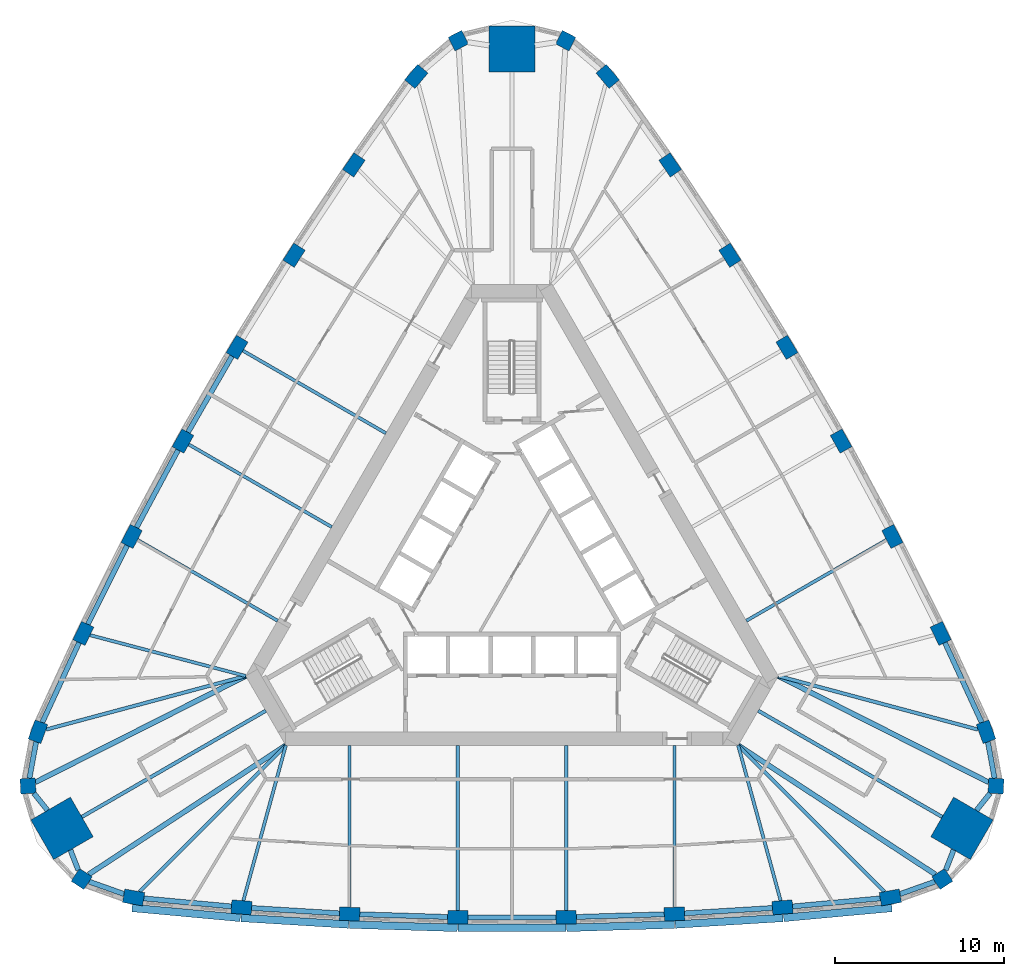
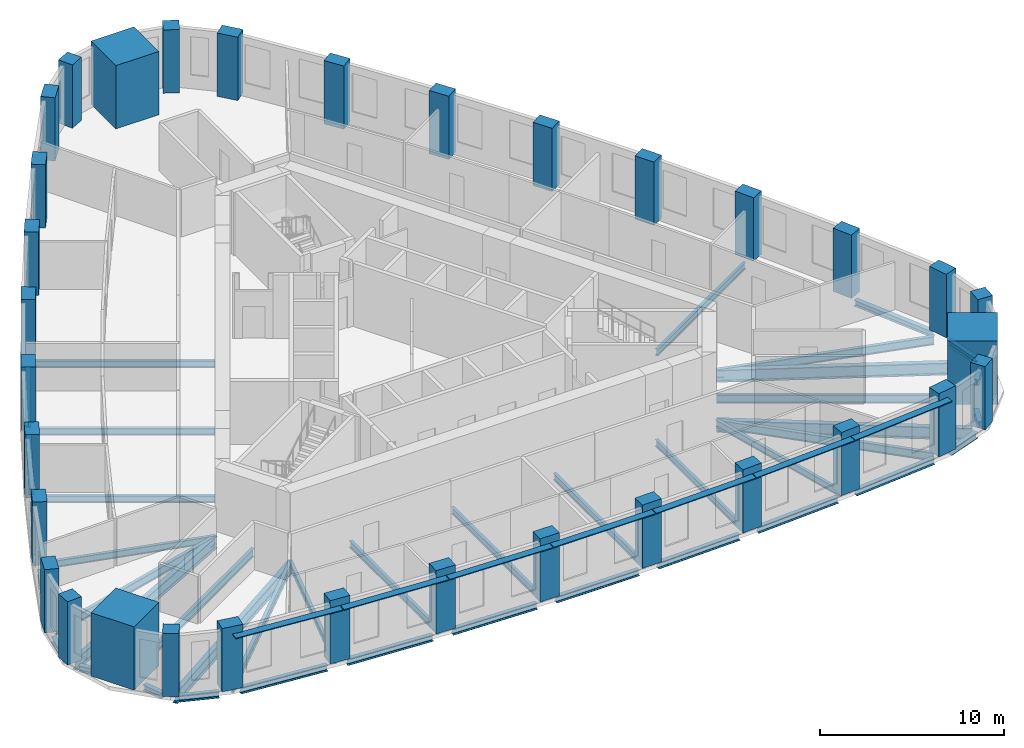
# One storey, part 1 of 10: 41 beams, 33 columns, 7 members.
"""IFC4 building model written with IfcOpenShell, lengths in metres."""

from ifc_helpers import new_model, si_unit, direction, frame, origin, origin_2d, place, context, subcontext, project, spatial, rectangle, i_section, extrude, material, material_profile, profile_set, type_object, element, save


model = new_model("IFC4")

# Units and contexts
model_context = context("Model", 3, precision=1e-05, world=origin(), true_north=direction((0.0, 1.0)))
body_context = subcontext(model_context, "Body", "Model", "MODEL_VIEW")
ifc_project = project(units=[si_unit("LENGTHUNIT", "METRE"), si_unit("AREAUNIT", "SQUARE_METRE"), si_unit("VOLUMEUNIT", "CUBIC_METRE"), si_unit("PLANEANGLEUNIT", "RADIAN"), si_unit("MASSUNIT", "GRAM", prefix="KILO")], contexts=[model_context])

# Site, building, storey
site_placement = place(None, origin())
site = spatial("IfcSite", under=ifc_project, at=site_placement, CompositionType="ELEMENT")
building_placement = place(site_placement, origin())
building = spatial("IfcBuilding", under=site, at=building_placement, Name="Mestral Congress Tower", CompositionType="ELEMENT")
storey_placement = place(building_placement, frame((0.0, 0.0, 154.199951171875)))
storey = spatial("IfcBuildingStorey", under=building, at=storey_placement, Name="L36", CompositionType="ELEMENT", Elevation=154.199951171875)

# Columns
ifc_material_1 = material(Name="Concrete C60/75", Category="concrete")
ifc_material_profile_1 = material_profile(ifc_material_1, rectangle(XDim=1.199951171875, YDim=0.800048828125, at=origin_2d()), Name="RC 1200x800")
ifc_profile_set_1 = profile_set([ifc_material_profile_1], Name="Concrete C60/75")
column_type_1 = type_object("IfcColumnType", Name="Column RC 1200x800 C60/75", PredefinedType="COLUMN", material=ifc_profile_set_1)
for number, where, z_axis, x_axis, name in (
    (1, (-22.357421875, -19.437255859375, 0.0), (0.0, 0.0, 1.0), (0.984571054206, -0.17498525429, 0.0), "COL-L36-C3-S00"),
    (2, (-15.984619140625, -20.0224609375, 0.0), (0.0, 0.0, 1.0), (0.997089725995, -0.076236987842, 0.0), "COL-L36-C3-S01"),
    (3, (-9.5966796875, -20.412841796875, 0.0), (0.0, 0.0, 1.0), (0.998951959915, -0.045770970953, 0.0), "COL-L36-C3-S02"),
    (4, (-3.199951171875, -20.608154296875, 0.0), (0.0, 0.0, 1.0), (0.999883524137, -0.015262311717, 0.0), "COL-L36-C3-S03"),
    (5, (3.199951171875, -20.608154296875, 0.0), (0.0, 0.0, 1.0), (0.999883524137, 0.015262311717, 0.0), "COL-L36-C3-S04"),
    (6, (9.5966796875, -20.412841796875, 0.0), (0.0, 0.0, 1.0), (0.998951959915, 0.045770970953, 0.0), "COL-L36-C3-S05"),
    (7, (15.984619140625, -20.0224609375, 0.0), (0.0, 0.0, 1.0), (0.997089725995, 0.076236987842, 0.0), "COL-L36-C3-S06"),
    (8, (22.357421875, -19.437255859375, 0.0), (0.0, 0.0, 1.0), (0.984571054206, 0.17498525429, 0.0), "COL-L36-C3-S07"),
    (9, (28.01171875, -9.6435546875, 0.0), (0.0, 0.0, 1.0), (-0.340743851601, 0.940156171918, 0.0), "COL-L36-C3-E00"),
    (10, (25.332275390625, -3.831787109375, 0.0), (0.0, 0.0, 1.0), (-0.432521694818, 0.901623526485, 0.0), "COL-L36-C3-E01"),
    (11, (22.476318359375, 1.8955078125, 0.0), (0.0, 0.0, 1.0), (-0.459837156356, 0.888003259923, 0.0), "COL-L36-C3-E02"),
    (12, (19.447265625, 7.532958984375, 0.0), (0.0, 0.0, 1.0), (-0.486724212401, 0.873555688587, 0.0), "COL-L36-C3-E03"),
    (13, (16.247314453125, 13.0751953125, 0.0), (0.0, 0.0, 1.0), (-0.513159311736, 0.85829337687, 0.0), "COL-L36-C3-E04"),
    (14, (12.8798828125, 18.517333984375, 0.0), (0.0, 0.0, 1.0), (-0.539114803559, 0.84223228897, 0.0), "COL-L36-C3-E05"),
    (15, (9.34765625, 23.854248046875, 0.0), (0.0, 0.0, 1.0), (-0.564568031177, 0.825386538643, 0.0), "COL-L36-C3-E06"),
    (16, (5.654296875, 29.080810546875, 0.0), (0.0, 0.0, 1.0), (-0.643827202606, 0.765170917629, 0.0), "COL-L36-C3-E07"),
    (17, (-5.654296875, 29.080810546875, 0.0), (0.0, 0.0, 1.0), (-0.643827202606, -0.765170917629, 0.0), "COL-L36-C3-W00"),
    (18, (-9.34765625, 23.854248046875, 0.0), (0.0, 0.0, 1.0), (-0.564568031177, -0.825386538643, 0.0), "COL-L36-C3-W01"),
    (19, (-12.8798828125, 18.517333984375, 0.0), (0.0, 0.0, 1.0), (-0.539114803559, -0.84223228897, 0.0), "COL-L36-C3-W02"),
    (20, (-16.247314453125, 13.0751953125, 0.0), (0.0, 0.0, 1.0), (-0.513159311736, -0.85829337687, 0.0), "COL-L36-C3-W03"),
    (21, (-19.447265625, 7.532958984375, 0.0), (0.0, 0.0, 1.0), (-0.486724212401, -0.873555688587, 0.0), "COL-L36-C3-W04"),
    (22, (-22.476318359375, 1.8955078125, 0.0), (0.0, 0.0, 1.0), (-0.459837156356, -0.888003259923, 0.0), "COL-L36-C3-W05"),
    (23, (-25.332275390625, -3.831787109375, 0.0), (0.0, 0.0, 1.0), (-0.432521694818, -0.901623526485, 0.0), "COL-L36-C3-W06"),
    (24, (-28.01171875, -9.6435546875, 0.0), (0.0, 0.0, 1.0), (-0.340743851601, -0.940156171918, 0.0), "COL-L36-C3-W07"),
):
    element("IfcColumn", number, at=place(storey_placement, frame(where, z_axis=z_axis, x_axis=x_axis)), inside=storey, type_object=column_type_1, Name=name, PredefinedType="COLUMN", context=body_context, shape_type="SweptSolid", body=[
        extrude(rectangle(XDim=1.199951171875, YDim=0.800048828125, at=origin_2d()), origin(), (0.0, 0.0, 1.0), 4.199951171875),
    ])
ifc_material_profile_2 = material_profile(ifc_material_1, rectangle(XDim=0.89990234375, YDim=0.89990234375, at=origin_2d()), Name="RC 900x900")
ifc_profile_set_2 = profile_set([ifc_material_profile_2], Name="Concrete C60/75")
column_type_2 = type_object("IfcColumnType", Name="Column RC 900x900 C60/75", PredefinedType="COLUMN", material=ifc_profile_set_2)
for number, where, z_axis, x_axis, name in (
    (25, (25.4296875, -18.34375, 0.0), (0.0, 0.0, 1.0), (0.838094050847, 0.545525766518, 0.0), "COL-L36-C3-SE1"),
    (26, (28.60107421875, -12.850830078125, 0.0), (0.0, 0.0, 1.0), (0.0533921468, 0.998573622053, 0.0), "COL-L36-C3-SE3"),
    (27, (3.17138671875, 31.194580078125, 0.0), (0.0, 0.0, 1.0), (-0.891486197647, 0.453047855535, 0.0), "COL-L36-C3-N1"),
    (28, (-3.17138671875, 31.194580078125, 0.0), (0.0, 0.0, 1.0), (-0.891486197647, -0.453047855535, 0.0), "COL-L36-C3-N3"),
    (29, (-28.60107421875, -12.850830078125, 0.0), (0.0, 0.0, 1.0), (0.0533921468, -0.998573622053, 0.0), "COL-L36-C3-SW1"),
    (30, (-25.4296875, -18.34375, 0.0), (0.0, 0.0, 1.0), (0.838094050847, -0.545525766518, 0.0), "COL-L36-C3-SW3"),
):
    element("IfcColumn", number, at=place(storey_placement, frame(where, z_axis=z_axis, x_axis=x_axis)), inside=storey, type_object=column_type_2, Name=name, PredefinedType="COLUMN", context=body_context, shape_type="SweptSolid", body=[
        extrude(rectangle(XDim=0.89990234375, YDim=0.89990234375, at=origin_2d()), origin(), (0.0, 0.0, 1.0), 4.199951171875),
    ])
ifc_material_2 = material(Name="Concrete C70/85", Category="concrete")
ifc_material_profile_3 = material_profile(ifc_material_2, rectangle(XDim=2.699951171875, YDim=2.699951171875, at=origin_2d()), Name="RC 2700x2700")
ifc_profile_set_3 = profile_set([ifc_material_profile_3], Name="Concrete C70/85")
column_type_3 = type_object("IfcColumnType", Name="Mega column RC 2700x2700 C70/85", PredefinedType="COLUMN", material=ifc_profile_set_3)
for number, where, z_axis, x_axis, name in (
    (31, (26.590576171875, -15.35205078125, 0.0), (0.0, 0.0, 1.0), (0.866025403784, -0.5, 0.0), "COL-L36-PY3-SE"),
    (32, (0.0, 30.7041015625, 0.0), (0.0, 0.0, 1.0), (0.0, 1.0, 0.0), "COL-L36-PY3-N"),
    (33, (-26.590576171875, -15.35205078125, 0.0), (0.0, 0.0, 1.0), (-0.866025403784, -0.5, 0.0), "COL-L36-PY3-SW"),
):
    element("IfcColumn", number, at=place(storey_placement, frame(where, z_axis=z_axis, x_axis=x_axis)), inside=storey, type_object=column_type_3, Name=name, PredefinedType="COLUMN", context=body_context, shape_type="SweptSolid", body=[
        extrude(rectangle(XDim=2.699951171875, YDim=2.699951171875, at=origin_2d()), origin(), (0.0, 0.0, 1.0), 4.199951171875),
    ])

# Members
ifc_material_3 = material(Name="Glazed ceramic", Category="masonry")
ifc_material_profile_4 = material_profile(ifc_material_3, rectangle(XDim=0.449951171875, YDim=0.06005859375, at=origin_2d()), Name="Ceramic blade 450 x 60")
ifc_profile_set_4 = profile_set([ifc_material_profile_4], Name="Glazed ceramic")
member_type = type_object("IfcMemberType", Name="Facade sunshade blade 450 x 60", PredefinedType="USERDEFINED", material=ifc_profile_set_4)
member_1_placement = place(storey_placement, frame((-22.451171875, -20.05615234375, 3.679931640625), z_axis=(0.995809919347, -0.091447277326, 0.0), x_axis=(0.091447277326, 0.995809919347, 0.0)))
element("IfcMember", 34, at=member_1_placement, inside=storey, type_object=member_type, Name="Sunshade F0-00", ObjectType="SUNSHADE", PredefinedType="USERDEFINED", context=body_context, shape_type="SweptSolid", body=[
    extrude(rectangle(XDim=0.449951171875, YDim=0.06005859375, at=origin_2d()), origin(), (0.0, 0.0, 1.0), 6.42333984375),
])
member_2_placement = place(storey_placement, frame((-16.009521484375, -20.647216796875, 3.679931640625), z_axis=(0.998138940399, -0.06098078107, 0.0), x_axis=(0.06098078107, 0.998138940399, 0.0)))
element("IfcMember", 35, at=member_2_placement, inside=storey, type_object=member_type, Name="Sunshade F0-01", ObjectType="SUNSHADE", PredefinedType="USERDEFINED", context=body_context, shape_type="SweptSolid", body=[
    extrude(rectangle(XDim=0.449951171875, YDim=0.06005859375, at=origin_2d()), origin(), (0.0, 0.0, 1.0), 6.373779296875),
])
for number, where, z_axis, x_axis, name in (
    (36, (-9.6025390625, -21.0380859375, 3.679931640625), (0.999535044007, -0.03049091343, 0.0), (0.03049091343, 0.999535044007, 0.0), "Sunshade F0-02"),
    (37, (-3.186767578125, -21.233154296875, 3.679931640625), (1.0, 0.0, 0.0), (0.0, 1.0, 0.0), "Sunshade F0-03"),
    (38, (3.23193359375, -21.232421875, 3.679931640625), (0.999535044007, 0.03049091343, 0.0), (-0.03049091343, 0.999535044007, 0.0), "Sunshade F0-04"),
):
    element("IfcMember", number, at=place(storey_placement, frame(where, z_axis=z_axis, x_axis=x_axis)), inside=storey, type_object=member_type, Name=name, ObjectType="SUNSHADE", PredefinedType="USERDEFINED", context=body_context, shape_type="SweptSolid", body=[
        extrude(rectangle(XDim=0.449951171875, YDim=0.06005859375, at=origin_2d()), origin(), (0.0, 0.0, 1.0), 6.37353515625),
    ])
member_3_placement = place(storey_placement, frame((9.647705078125, -21.035888671875, 3.679931640625), z_axis=(0.998138940399, 0.06098078107, 0.0), x_axis=(-0.06098078107, 0.998138940399, 0.0)))
element("IfcMember", 39, at=member_3_placement, inside=storey, type_object=member_type, Name="Sunshade F0-05", ObjectType="SUNSHADE", PredefinedType="USERDEFINED", context=body_context, shape_type="SweptSolid", body=[
    extrude(rectangle(XDim=0.449951171875, YDim=0.06005859375, at=origin_2d()), origin(), (0.0, 0.0, 1.0), 6.373779296875),
])
member_4_placement = place(storey_placement, frame((16.0546875, -20.6435546875, 3.679931640625), z_axis=(0.995809919347, 0.091447277326, 0.0), x_axis=(-0.091447277326, 0.995809919347, 0.0)))
element("IfcMember", 40, at=member_4_placement, inside=storey, type_object=member_type, Name="Sunshade F0-06", ObjectType="SUNSHADE", PredefinedType="USERDEFINED", context=body_context, shape_type="SweptSolid", body=[
    extrude(rectangle(XDim=0.449951171875, YDim=0.06005859375, at=origin_2d()), origin(), (0.0, 0.0, 1.0), 6.42333984375),
])

# Beams
ifc_material_4 = material(Name="Steel S355", Category="steel")
ifc_material_profile_5 = material_profile(ifc_material_4, i_section(OverallWidth=0.300048828125, OverallDepth=0.800048828125, WebThickness=0.017578125, FlangeThickness=0.032958984375, FilletRadius=0.030029296875, at=origin_2d()), Name="HEB 800")
ifc_profile_set_5 = profile_set([ifc_material_profile_5], Name="Steel S355")
beam_type_1 = type_object("IfcBeamType", Name="Floor beam HEB 800 S355", PredefinedType="BEAM", material=ifc_profile_set_5)
beam_1_placement = place(storey_placement, frame((25.018310546875, -18.07470703125, -0.64990234375), z_axis=(-0.836780237492, 0.547538888247, 0.0), x_axis=(-0.547538888247, -0.836780237492, 0.0)))
element("IfcBeam", 41, at=beam_1_placement, inside=storey, type_object=beam_type_1, Name="BM-L36-RB3-SE1", PredefinedType="BEAM", context=body_context, shape_type="SweptSolid", body=[
    extrude(i_section(OverallWidth=0.300048828125, OverallDepth=0.800048828125, WebThickness=0.017578125, FlangeThickness=0.032958984375, FilletRadius=0.030029296875, at=origin_2d()), origin(), (0.0, 0.0, 1.0), 13.925537109375),
])
for number, where, z_axis, x_axis, name in (
    (42, (28.162109375, -12.629150390625, -0.64990234375), (-0.892568118133, 0.450912579656, 0.0), (-0.450912579656, -0.892568118133, 0.0), "BM-L36-RB3-SE3"),
    (43, (-28.162109375, -12.629150390625, -0.64990234375), (0.892568118133, 0.450912579656, 0.0), (-0.450912579656, 0.892568118133, 0.0), "BM-L36-RB3-SW1"),
):
    element("IfcBeam", number, at=place(storey_placement, frame(where, z_axis=z_axis, x_axis=x_axis)), inside=storey, type_object=beam_type_1, Name=name, PredefinedType="BEAM", context=body_context, shape_type="SweptSolid", body=[
        extrude(i_section(OverallWidth=0.300048828125, OverallDepth=0.800048828125, WebThickness=0.017578125, FlangeThickness=0.032958984375, FilletRadius=0.030029296875, at=origin_2d()), origin(), (0.0, 0.0, 1.0), 13.92529296875),
    ])
beam_2_placement = place(storey_placement, frame((-25.018310546875, -18.07470703125, -0.64990234375), z_axis=(0.836780237492, 0.547538888247, 0.0), x_axis=(-0.547538888247, 0.836780237492, 0.0)))
element("IfcBeam", 44, at=beam_2_placement, inside=storey, type_object=beam_type_1, Name="BM-L36-RB3-SW3", PredefinedType="BEAM", context=body_context, shape_type="SweptSolid", body=[
    extrude(i_section(OverallWidth=0.300048828125, OverallDepth=0.800048828125, WebThickness=0.017578125, FlangeThickness=0.032958984375, FilletRadius=0.030029296875, at=origin_2d()), origin(), (0.0, 0.0, 1.0), 13.925537109375),
])
ifc_material_profile_6 = material_profile(ifc_material_4, i_section(OverallWidth=0.18994140625, OverallDepth=0.449951171875, WebThickness=0.009521484375, FlangeThickness=0.0146484375, FilletRadius=0.02099609375, at=origin_2d()), Name="IPE 450")
ifc_profile_set_6 = profile_set([ifc_material_profile_6], Name="Steel S355")
beam_type_2 = type_object("IfcBeamType", Name="Floor beam IPE 450 S355", PredefinedType="BEAM", material=ifc_profile_set_6)
beam_3_placement = place(storey_placement, frame((-15.876953125, -19.62939453125, -0.474853515625), z_axis=(0.263874900873, 0.964556912105, 0.0), x_axis=(-0.964556912105, 0.263874900873, 0.0)))
element("IfcBeam", 45, at=beam_3_placement, inside=storey, type_object=beam_type_2, Name="BM-L36-RB3-S01", PredefinedType="BEAM", context=body_context, shape_type="SweptSolid", body=[
    extrude(i_section(OverallWidth=0.18994140625, OverallDepth=0.449951171875, WebThickness=0.009521484375, FlangeThickness=0.0146484375, FilletRadius=0.02099609375, at=origin_2d()), origin(), (0.0, 0.0, 1.0), 9.516845703125),
])
beam_4_placement = place(storey_placement, frame((-9.5966796875, -20.012451171875, -0.474853515625), z_axis=(0.0, 1.0, 0.0), x_axis=(-1.0, 0.0, 0.0)))
element("IfcBeam", 46, at=beam_4_placement, inside=storey, type_object=beam_type_2, Name="BM-L36-RB3-S02", PredefinedType="BEAM", context=body_context, shape_type="SweptSolid", body=[
    extrude(i_section(OverallWidth=0.18994140625, OverallDepth=0.449951171875, WebThickness=0.009521484375, FlangeThickness=0.0146484375, FilletRadius=0.02099609375, at=origin_2d()), origin(), (0.0, 0.0, 1.0), 9.5625),
])
for number, where, z_axis, x_axis, name in (
    (47, (-3.199951171875, -20.208251953125, -0.474853515625), (0.0, 1.0, 0.0), (-1.0, 0.0, 0.0), "BM-L36-RB3-S03"),
    (48, (3.199951171875, -20.208251953125, -0.474853515625), (0.0, 1.0, 0.0), (-1.0, 0.0, 0.0), "BM-L36-RB3-S04"),
):
    element("IfcBeam", number, at=place(storey_placement, frame(where, z_axis=z_axis, x_axis=x_axis)), inside=storey, type_object=beam_type_2, Name=name, PredefinedType="BEAM", context=body_context, shape_type="SweptSolid", body=[
        extrude(i_section(OverallWidth=0.18994140625, OverallDepth=0.449951171875, WebThickness=0.009521484375, FlangeThickness=0.0146484375, FilletRadius=0.02099609375, at=origin_2d()), origin(), (0.0, 0.0, 1.0), 9.75830078125),
    ])
beam_5_placement = place(storey_placement, frame((9.5966796875, -20.012451171875, -0.474853515625), z_axis=(0.0, 1.0, 0.0), x_axis=(-1.0, 0.0, 0.0)))
element("IfcBeam", 49, at=beam_5_placement, inside=storey, type_object=beam_type_2, Name="BM-L36-RB3-S05", PredefinedType="BEAM", context=body_context, shape_type="SweptSolid", body=[
    extrude(i_section(OverallWidth=0.18994140625, OverallDepth=0.449951171875, WebThickness=0.009521484375, FlangeThickness=0.0146484375, FilletRadius=0.02099609375, at=origin_2d()), origin(), (0.0, 0.0, 1.0), 9.5625),
])
beam_6_placement = place(storey_placement, frame((15.876953125, -19.62939453125, -0.474853515625), z_axis=(-0.263874900873, 0.964556912105, 0.0), x_axis=(-0.964556912105, -0.263874900873, 0.0)))
element("IfcBeam", 50, at=beam_6_placement, inside=storey, type_object=beam_type_2, Name="BM-L36-RB3-S06", PredefinedType="BEAM", context=body_context, shape_type="SweptSolid", body=[
    extrude(i_section(OverallWidth=0.18994140625, OverallDepth=0.449951171875, WebThickness=0.009521484375, FlangeThickness=0.0146484375, FilletRadius=0.02099609375, at=origin_2d()), origin(), (0.0, 0.0, 1.0), 9.516845703125),
])
beam_7_placement = place(storey_placement, frame((22.129638671875, 1.6953125, -0.474853515625), z_axis=(-0.866022320763, -0.500005339912, 0.0), x_axis=(0.500005339912, -0.866022320763, 0.0)))
element("IfcBeam", 51, at=beam_7_placement, inside=storey, type_object=beam_type_2, Name="BM-L36-RB3-E02", PredefinedType="BEAM", context=body_context, shape_type="SweptSolid", body=[
    extrude(i_section(OverallWidth=0.18994140625, OverallDepth=0.449951171875, WebThickness=0.009521484375, FlangeThickness=0.0146484375, FilletRadius=0.02099609375, at=origin_2d()), origin(), (0.0, 0.0, 1.0), 9.5625),
])
beam_8_placement = place(storey_placement, frame((-15.90087890625, 12.875244140625, -0.474853515625), z_axis=(0.866025182435, -0.500000383388, 0.0), x_axis=(0.500000383388, 0.866025182435, 0.0)))
element("IfcBeam", 52, at=beam_8_placement, inside=storey, type_object=beam_type_2, Name="BM-L36-RB3-W03", PredefinedType="BEAM", context=body_context, shape_type="SweptSolid", body=[
    extrude(i_section(OverallWidth=0.18994140625, OverallDepth=0.449951171875, WebThickness=0.009521484375, FlangeThickness=0.0146484375, FilletRadius=0.02099609375, at=origin_2d()), origin(), (0.0, 0.0, 1.0), 9.75830078125),
])
beam_9_placement = place(storey_placement, frame((-19.100830078125, 7.332763671875, -0.474853515625), z_axis=(0.866036015824, -0.499981618958, 0.0), x_axis=(0.499981618958, 0.866036015824, 0.0)))
element("IfcBeam", 53, at=beam_9_placement, inside=storey, type_object=beam_type_2, Name="BM-L36-RB3-W04", PredefinedType="BEAM", context=body_context, shape_type="SweptSolid", body=[
    extrude(i_section(OverallWidth=0.18994140625, OverallDepth=0.449951171875, WebThickness=0.009521484375, FlangeThickness=0.0146484375, FilletRadius=0.02099609375, at=origin_2d()), origin(), (0.0, 0.0, 1.0), 9.758056640625),
])
beam_10_placement = place(storey_placement, frame((-22.129638671875, 1.6953125, -0.474853515625), z_axis=(0.866022320763, -0.500005339912, 0.0), x_axis=(0.500005339912, 0.866022320763, 0.0)))
element("IfcBeam", 54, at=beam_10_placement, inside=storey, type_object=beam_type_2, Name="BM-L36-RB3-W05", PredefinedType="BEAM", context=body_context, shape_type="SweptSolid", body=[
    extrude(i_section(OverallWidth=0.18994140625, OverallDepth=0.449951171875, WebThickness=0.009521484375, FlangeThickness=0.0146484375, FilletRadius=0.02099609375, at=origin_2d()), origin(), (0.0, 0.0, 1.0), 9.5625),
])
beam_11_placement = place(storey_placement, frame((-24.938232421875, -3.93505859375, -0.474853515625), z_axis=(0.967265999603, -0.253764627187, 0.0), x_axis=(0.253764627187, 0.967265999603, 0.0)))
element("IfcBeam", 55, at=beam_11_placement, inside=storey, type_object=beam_type_2, Name="BM-L36-RB3-W06", PredefinedType="BEAM", context=body_context, shape_type="SweptSolid", body=[
    extrude(i_section(OverallWidth=0.18994140625, OverallDepth=0.449951171875, WebThickness=0.009521484375, FlangeThickness=0.0146484375, FilletRadius=0.02099609375, at=origin_2d()), origin(), (0.0, 0.0, 1.0), 9.516845703125),
])
ifc_material_profile_7 = material_profile(ifc_material_4, i_section(OverallWidth=0.2099609375, OverallDepth=0.550048828125, WebThickness=0.010986328125, FlangeThickness=0.01708984375, FilletRadius=0.02392578125, at=origin_2d()), Name="IPE 550")
ifc_profile_set_7 = profile_set([ifc_material_profile_7], Name="Steel S355")
beam_type_3 = type_object("IfcBeamType", Name="Floor beam IPE 550 S355", PredefinedType="BEAM", material=ifc_profile_set_7)
for number, where, z_axis, x_axis, name in (
    (56, (-22.01220703125, -19.09228515625, -0.52490234375), (0.707276510369, 0.706937011254, 0.0), (-0.706937011254, 0.707276510369, 0.0), "BM-L36-RB3-S00"),
    (57, (22.01220703125, -19.09228515625, -0.52490234375), (-0.707276510369, 0.706937011254, 0.0), (-0.706937011254, -0.707276510369, 0.0), "BM-L36-RB3-S07"),
):
    element("IfcBeam", number, at=place(storey_placement, frame(where, z_axis=z_axis, x_axis=x_axis)), inside=storey, type_object=beam_type_3, Name=name, PredefinedType="BEAM", context=body_context, shape_type="SweptSolid", body=[
        extrude(i_section(OverallWidth=0.2099609375, OverallDepth=0.550048828125, WebThickness=0.010986328125, FlangeThickness=0.01708984375, FilletRadius=0.02392578125, at=origin_2d()), origin(), (0.0, 0.0, 1.0), 12.22509765625),
    ])
beam_12_placement = place(storey_placement, frame((25.42138671875, -14.677001953125, -0.52490234375), z_axis=(-0.866034999462, 0.49998337943, 0.0), x_axis=(-0.49998337943, -0.866034999462, 0.0)))
element("IfcBeam", 58, at=beam_12_placement, inside=storey, type_object=beam_type_3, Name="BM-L36-RB3-SE", PredefinedType="BEAM", context=body_context, shape_type="SweptSolid", body=[
    extrude(i_section(OverallWidth=0.2099609375, OverallDepth=0.550048828125, WebThickness=0.010986328125, FlangeThickness=0.01708984375, FilletRadius=0.02392578125, at=origin_2d()), origin(), (0.0, 0.0, 1.0), 12.55419921875),
])
for number, where, z_axis, x_axis, name in (
    (59, (27.54052734375, -9.51708984375, -0.52490234375), (-0.965861364708, 0.259059499276, 0.0), (-0.259059499276, -0.965861364708, 0.0), "BM-L36-RB3-E00"),
    (60, (-27.54052734375, -9.51708984375, -0.52490234375), (0.965861364708, 0.259059499276, 0.0), (-0.259059499276, 0.965861364708, 0.0), "BM-L36-RB3-W07"),
):
    element("IfcBeam", number, at=place(storey_placement, frame(where, z_axis=z_axis, x_axis=x_axis)), inside=storey, type_object=beam_type_3, Name=name, PredefinedType="BEAM", context=body_context, shape_type="SweptSolid", body=[
        extrude(i_section(OverallWidth=0.2099609375, OverallDepth=0.550048828125, WebThickness=0.010986328125, FlangeThickness=0.01708984375, FilletRadius=0.02392578125, at=origin_2d()), origin(), (0.0, 0.0, 1.0), 12.224853515625),
    ])
beam_13_placement = place(storey_placement, frame((-25.42138671875, -14.677001953125, -0.52490234375), z_axis=(0.866034999462, 0.49998337943, 0.0), x_axis=(-0.49998337943, 0.866034999462, 0.0)))
element("IfcBeam", 61, at=beam_13_placement, inside=storey, type_object=beam_type_3, Name="BM-L36-RB3-SW", PredefinedType="BEAM", context=body_context, shape_type="SweptSolid", body=[
    extrude(i_section(OverallWidth=0.2099609375, OverallDepth=0.550048828125, WebThickness=0.010986328125, FlangeThickness=0.01708984375, FilletRadius=0.02392578125, at=origin_2d()), origin(), (0.0, 0.0, 1.0), 12.55419921875),
])
ifc_material_profile_8 = material_profile(ifc_material_4, i_section(OverallWidth=0.300048828125, OverallDepth=0.389892578125, WebThickness=0.010986328125, FlangeThickness=0.01904296875, FilletRadius=0.027099609375, at=origin_2d()), Name="HEA 400")
ifc_profile_set_8 = profile_set([ifc_material_profile_8], Name="Steel S355")
beam_type_4 = type_object("IfcBeamType", Name="Spandrel beam HEA 400 S355", PredefinedType="BEAM", material=ifc_profile_set_8)
beam_14_placement = place(storey_placement, frame((-21.7578125, -19.4921875, -0.445068359375), z_axis=(0.995809233617, -0.091454744238, 0.0), x_axis=(0.091454744238, 0.995809233617, 0.0)))
element("IfcBeam", 62, at=beam_14_placement, inside=storey, type_object=beam_type_4, Name="SP-L36-SB3-S00", PredefinedType="BEAM", context=body_context, shape_type="SweptSolid", body=[
    extrude(i_section(OverallWidth=0.300048828125, OverallDepth=0.389892578125, WebThickness=0.010986328125, FlangeThickness=0.01904296875, FilletRadius=0.027099609375, at=origin_2d()), origin(), (0.0, 0.0, 1.0), 5.197509765625),
])
beam_15_placement = place(storey_placement, frame((-15.385498046875, -20.05908203125, -0.445068359375), z_axis=(0.998138215809, -0.060992640057, 0.0), x_axis=(0.060992640057, 0.998138215809, 0.0)))
element("IfcBeam", 63, at=beam_15_placement, inside=storey, type_object=beam_type_4, Name="SP-L36-SB3-S01", PredefinedType="BEAM", context=body_context, shape_type="SweptSolid", body=[
    extrude(i_section(OverallWidth=0.300048828125, OverallDepth=0.389892578125, WebThickness=0.010986328125, FlangeThickness=0.01904296875, FilletRadius=0.027099609375, at=origin_2d()), origin(), (0.0, 0.0, 1.0), 5.19970703125),
])
beam_16_placement = place(storey_placement, frame((-8.996826171875, -20.43115234375, -0.445068359375), z_axis=(0.999534130554, -0.030520842996, 0.0), x_axis=(0.030520842996, 0.999534130554, 0.0)))
element("IfcBeam", 64, at=beam_16_placement, inside=storey, type_object=beam_type_4, Name="SP-L36-SB3-S02", PredefinedType="BEAM", context=body_context, shape_type="SweptSolid", body=[
    extrude(i_section(OverallWidth=0.300048828125, OverallDepth=0.389892578125, WebThickness=0.010986328125, FlangeThickness=0.01904296875, FilletRadius=0.027099609375, at=origin_2d()), origin(), (0.0, 0.0, 1.0), 5.199462890625),
])
beam_17_placement = place(storey_placement, frame((-2.599853515625, -20.608154296875, -0.445068359375), z_axis=(1.0, 0.0, 0.0), x_axis=(0.0, 1.0, 0.0)))
element("IfcBeam", 65, at=beam_17_placement, inside=storey, type_object=beam_type_4, Name="SP-L36-SB3-S03", PredefinedType="BEAM", context=body_context, shape_type="SweptSolid", body=[
    extrude(i_section(OverallWidth=0.300048828125, OverallDepth=0.389892578125, WebThickness=0.010986328125, FlangeThickness=0.01904296875, FilletRadius=0.027099609375, at=origin_2d()), origin(), (0.0, 0.0, 1.0), 5.19970703125),
])
beam_18_placement = place(storey_placement, frame((3.7998046875, -20.58984375, -0.445068359375), z_axis=(0.999534130554, 0.030520842996, 0.0), x_axis=(-0.030520842996, 0.999534130554, 0.0)))
element("IfcBeam", 66, at=beam_18_placement, inside=storey, type_object=beam_type_4, Name="SP-L36-SB3-S04", PredefinedType="BEAM", context=body_context, shape_type="SweptSolid", body=[
    extrude(i_section(OverallWidth=0.300048828125, OverallDepth=0.389892578125, WebThickness=0.010986328125, FlangeThickness=0.01904296875, FilletRadius=0.027099609375, at=origin_2d()), origin(), (0.0, 0.0, 1.0), 5.199462890625),
])
beam_19_placement = place(storey_placement, frame((10.195556640625, -20.376220703125, -0.445068359375), z_axis=(0.998138215809, 0.060992640057, 0.0), x_axis=(-0.060992640057, 0.998138215809, 0.0)))
element("IfcBeam", 67, at=beam_19_placement, inside=storey, type_object=beam_type_4, Name="SP-L36-SB3-S05", PredefinedType="BEAM", context=body_context, shape_type="SweptSolid", body=[
    extrude(i_section(OverallWidth=0.300048828125, OverallDepth=0.389892578125, WebThickness=0.010986328125, FlangeThickness=0.01904296875, FilletRadius=0.027099609375, at=origin_2d()), origin(), (0.0, 0.0, 1.0), 5.19970703125),
])
beam_20_placement = place(storey_placement, frame((16.58203125, -19.967529296875, -0.445068359375), z_axis=(0.995809233617, 0.091454744238, 0.0), x_axis=(-0.091454744238, 0.995809233617, 0.0)))
element("IfcBeam", 68, at=beam_20_placement, inside=storey, type_object=beam_type_4, Name="SP-L36-SB3-S06", PredefinedType="BEAM", context=body_context, shape_type="SweptSolid", body=[
    extrude(i_section(OverallWidth=0.300048828125, OverallDepth=0.389892578125, WebThickness=0.010986328125, FlangeThickness=0.01904296875, FilletRadius=0.027099609375, at=origin_2d()), origin(), (0.0, 0.0, 1.0), 5.197509765625),
])
beam_21_placement = place(storey_placement, frame((22.9306640625, -19.233154296875, -0.445068359375), z_axis=(0.942124718118, 0.33526260679, 0.0), x_axis=(-0.33526260679, 0.942124718118, 0.0)))
element("IfcBeam", 69, at=beam_21_placement, inside=storey, type_object=beam_type_4, Name="SP-L36-SB3-S07", PredefinedType="BEAM", context=body_context, shape_type="SweptSolid", body=[
    extrude(i_section(OverallWidth=0.300048828125, OverallDepth=0.389892578125, WebThickness=0.010986328125, FlangeThickness=0.01904296875, FilletRadius=0.027099609375, at=origin_2d()), origin(), (0.0, 0.0, 1.0), 2.189697265625),
])
for number, where, z_axis, x_axis, name in (
    (70, (25.630126953125, -17.826904296875, -0.445068359375), (0.361897583915, 0.932217860136, 0.0), (-0.932217860136, 0.361897583915, 0.0), "SP-L36-SB3-SE1"),
    (71, (27.446533203125, -14.287353515625, -0.445068359375), (0.626403443736, 0.779499022242, 0.0), (-0.779499022242, 0.626403443736, 0.0), "SP-L36-SB3-SE"),
):
    element("IfcBeam", number, at=place(storey_placement, frame(where, z_axis=z_axis, x_axis=x_axis)), inside=storey, type_object=beam_type_4, Name=name, PredefinedType="BEAM", context=body_context, shape_type="SweptSolid", body=[
        extrude(i_section(OverallWidth=0.300048828125, OverallDepth=0.389892578125, WebThickness=0.010986328125, FlangeThickness=0.01904296875, FilletRadius=0.027099609375, at=origin_2d()), origin(), (0.0, 0.0, 1.0), 1.28857421875),
    ])
beam_22_placement = place(storey_placement, frame((28.517333984375, -12.395751953125, -0.445068359375), z_axis=(-0.18061190167, 0.983554442304, 0.0), x_axis=(-0.983554442304, -0.18061190167, 0.0)))
element("IfcBeam", 72, at=beam_22_placement, inside=storey, type_object=beam_type_4, Name="SP-L36-SB3-SE3", PredefinedType="BEAM", context=body_context, shape_type="SweptSolid", body=[
    extrude(i_section(OverallWidth=0.300048828125, OverallDepth=0.389892578125, WebThickness=0.010986328125, FlangeThickness=0.01904296875, FilletRadius=0.027099609375, at=origin_2d()), origin(), (0.0, 0.0, 1.0), 2.18994140625),
])
beam_23_placement = place(storey_placement, frame((27.759765625, -9.0966796875, -0.445068359375), z_axis=(-0.418712613032, 0.908118796022, 0.0), x_axis=(-0.908118796022, -0.418712613032, 0.0)))
element("IfcBeam", 73, at=beam_23_placement, inside=storey, type_object=beam_type_4, Name="SP-L36-SB3-E00", PredefinedType="BEAM", context=body_context, shape_type="SweptSolid", body=[
    extrude(i_section(OverallWidth=0.300048828125, OverallDepth=0.389892578125, WebThickness=0.010986328125, FlangeThickness=0.01904296875, FilletRadius=0.027099609375, at=origin_2d()), origin(), (0.0, 0.0, 1.0), 5.197509765625),
])
for number, where, z_axis, x_axis, name in (
    (74, (-16.54736328125, 12.5556640625, -0.445068359375), (-0.499992051641, -0.866029992723, 0.0), (0.866029992723, -0.499992051641, 0.0), "SP-L36-SB3-W03"),
    (75, (-19.731201171875, 7.00439453125, -0.445068359375), (-0.473332458078, -0.880883865291, 0.0), (0.880883865291, -0.473332458078, 0.0), "SP-L36-SB3-W04"),
):
    element("IfcBeam", number, at=place(storey_placement, frame(where, z_axis=z_axis, x_axis=x_axis)), inside=storey, type_object=beam_type_4, Name=name, PredefinedType="BEAM", context=body_context, shape_type="SweptSolid", body=[
        extrude(i_section(OverallWidth=0.300048828125, OverallDepth=0.389892578125, WebThickness=0.010986328125, FlangeThickness=0.01904296875, FilletRadius=0.027099609375, at=origin_2d()), origin(), (0.0, 0.0, 1.0), 5.19970703125),
    ])
beam_24_placement = place(storey_placement, frame((-22.744140625, 1.3583984375, -0.445068359375), z_axis=(-0.446255467462, -0.894905613884, 0.0), x_axis=(0.894905613884, -0.446255467462, 0.0)))
element("IfcBeam", 76, at=beam_24_placement, inside=storey, type_object=beam_type_4, Name="SP-L36-SB3-W05", PredefinedType="BEAM", context=body_context, shape_type="SweptSolid", body=[
    extrude(i_section(OverallWidth=0.300048828125, OverallDepth=0.389892578125, WebThickness=0.010986328125, FlangeThickness=0.01904296875, FilletRadius=0.027099609375, at=origin_2d()), origin(), (0.0, 0.0, 1.0), 5.199462890625),
])
beam_25_placement = place(storey_placement, frame((-25.58349609375, -4.376708984375, -0.445068359375), z_axis=(-0.418712613032, -0.908118796022, 0.0), x_axis=(0.908118796022, -0.418712613032, 0.0)))
element("IfcBeam", 77, at=beam_25_placement, inside=storey, type_object=beam_type_4, Name="SP-L36-SB3-W06", PredefinedType="BEAM", context=body_context, shape_type="SweptSolid", body=[
    extrude(i_section(OverallWidth=0.300048828125, OverallDepth=0.389892578125, WebThickness=0.010986328125, FlangeThickness=0.01904296875, FilletRadius=0.027099609375, at=origin_2d()), origin(), (0.0, 0.0, 1.0), 5.197509765625),
])
beam_26_placement = place(storey_placement, frame((-28.121826171875, -10.241943359375, -0.445068359375), z_axis=(-0.18061190167, -0.983554442304, 0.0), x_axis=(0.983554442304, -0.18061190167, 0.0)))
element("IfcBeam", 78, at=beam_26_placement, inside=storey, type_object=beam_type_4, Name="SP-L36-SB3-W07", PredefinedType="BEAM", context=body_context, shape_type="SweptSolid", body=[
    extrude(i_section(OverallWidth=0.300048828125, OverallDepth=0.389892578125, WebThickness=0.010986328125, FlangeThickness=0.01904296875, FilletRadius=0.027099609375, at=origin_2d()), origin(), (0.0, 0.0, 1.0), 2.18994140625),
])
for number, where, z_axis, x_axis, name in (
    (79, (-28.253662109375, -13.282958984375, -0.445068359375), (0.626403443736, -0.779499022242, 0.0), (0.779499022242, 0.626403443736, 0.0), "SP-L36-SB3-SW1"),
    (80, (-26.096435546875, -16.625732421875, -0.445068359375), (0.361897583915, -0.932217860136, 0.0), (0.932217860136, 0.361897583915, 0.0), "SP-L36-SB3-SW"),
):
    element("IfcBeam", number, at=place(storey_placement, frame(where, z_axis=z_axis, x_axis=x_axis)), inside=storey, type_object=beam_type_4, Name=name, PredefinedType="BEAM", context=body_context, shape_type="SweptSolid", body=[
        extrude(i_section(OverallWidth=0.300048828125, OverallDepth=0.389892578125, WebThickness=0.010986328125, FlangeThickness=0.01904296875, FilletRadius=0.027099609375, at=origin_2d()), origin(), (0.0, 0.0, 1.0), 1.28857421875),
    ])
beam_27_placement = place(storey_placement, frame((-24.99365234375, -18.4990234375, -0.445068359375), z_axis=(0.942124718118, -0.33526260679, 0.0), x_axis=(0.33526260679, 0.942124718118, 0.0)))
element("IfcBeam", 81, at=beam_27_placement, inside=storey, type_object=beam_type_4, Name="SP-L36-SB3-SW3", PredefinedType="BEAM", context=body_context, shape_type="SweptSolid", body=[
    extrude(i_section(OverallWidth=0.300048828125, OverallDepth=0.389892578125, WebThickness=0.010986328125, FlangeThickness=0.01904296875, FilletRadius=0.027099609375, at=origin_2d()), origin(), (0.0, 0.0, 1.0), 2.189697265625),
])

save(model, "model.ifc")
